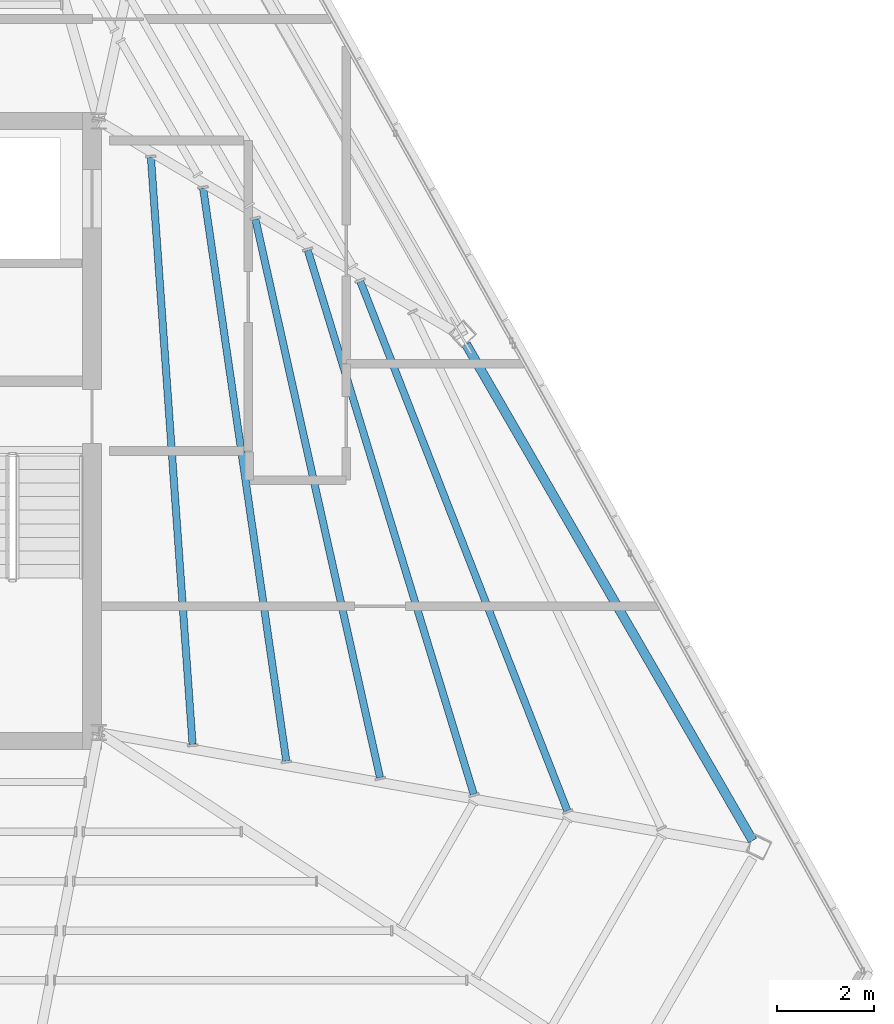
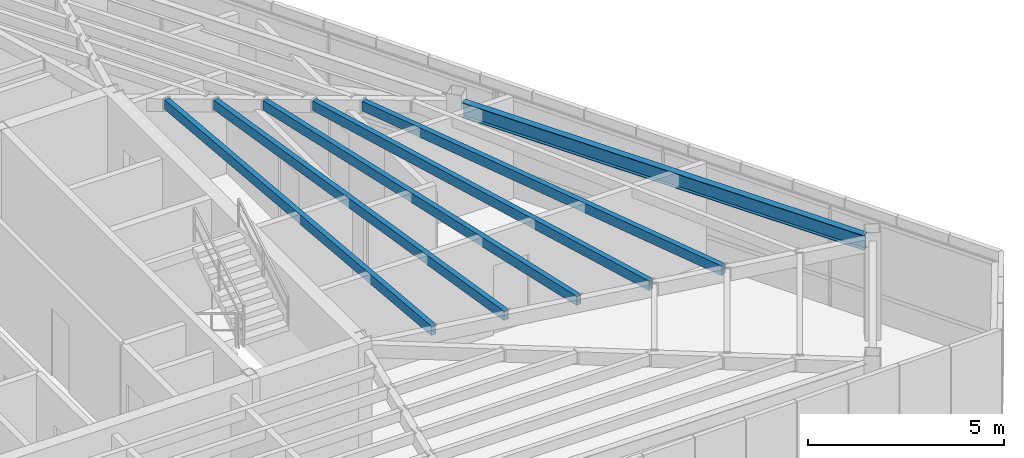
# One storey, part 24 of 48: 6 beams.
"""IFC4 building model written with IfcOpenShell, lengths in metres."""

from ifc_helpers import new_model, si_unit, direction, frame, origin, origin_2d, place, context, subcontext, project, spatial, hollow_rectangle, i_section, extrude, source, transform, mapped, material, material_profile, profile_set, type_object, type_shapes, element, save


model = new_model("IFC4")

# Units and contexts
model_context = context("Model", 3, precision=1e-05, world=origin(), true_north=direction((0.0, 1.0)))
body_context = subcontext(model_context, "Body", "Model", "MODEL_VIEW")
ifc_project = project(units=[si_unit("LENGTHUNIT", "METRE"), si_unit("AREAUNIT", "SQUARE_METRE"), si_unit("VOLUMEUNIT", "CUBIC_METRE"), si_unit("PLANEANGLEUNIT", "RADIAN"), si_unit("MASSUNIT", "GRAM", prefix="KILO")], contexts=[model_context])

# Site, building, storey
site_placement = place(None, origin())
site = spatial("IfcSite", under=ifc_project, at=site_placement, CompositionType="ELEMENT")
building_placement = place(site_placement, origin())
building = spatial("IfcBuilding", under=site, at=building_placement, Name="Caelisora Broadcast Tower", CompositionType="ELEMENT")
storey_placement = place(building_placement, frame((0.0, 0.0, 300.0)))
storey = spatial("IfcBuildingStorey", under=building, at=storey_placement, Name="L79", CompositionType="ELEMENT", Elevation=300.0)

# Beams
ifc_material_1 = material(Name="Steel Grade 350 (AS/NZS 3679.1)", Category="steel")
ifc_material_profile_1 = material_profile(ifc_material_1, i_section(OverallWidth=0.19091796875, OverallDepth=0.46044921875, WebThickness=0.010009765625, FlangeThickness=0.01611328125, at=origin_2d()), Name="Steel Grade 350 (AS/NZS 3679.1)")
ifc_profile_set_1 = profile_set([ifc_material_profile_1], Name="Steel Grade 350 (AS/NZS 3679.1)")
beam_type_1 = type_object("IfcBeamType", Name="PG06", PredefinedType="BEAM", material=ifc_profile_set_1)
shared_shape_1 = source(origin(), body_context, "Body", "SweptSolid", [
    extrude(i_section(OverallWidth=0.19091796875, OverallDepth=0.46044921875, WebThickness=0.010009765625, FlangeThickness=0.01611328125, at=origin_2d()), origin(), (0.0, 0.0, 1.0), 11.8095703125),
])
type_shapes(beam_type_1, [shared_shape_1])
beam_1_placement = place(storey_placement, frame((58.972900390625, 15.173828125, 2.919921875), z_axis=(-0.50000340912, 0.866023435519, 0.0), x_axis=(-0.866023435519, -0.50000340912, 0.0)))
element("IfcBeam", 1, at=beam_1_placement, inside=storey, type_object=beam_type_1, Name="L79 beam PG06", PredefinedType="BEAM", context=body_context, shape_type="MappedRepresentation", body=[
    mapped(shared_shape_1, transform((0.0, 0.0, 0.0), scale=1.0)),
])
ifc_material_2 = material(Name="Steel Grade 350 (AS/NZS 1163 C350L0)", Category="steel")
ifc_material_profile_2 = material_profile(ifc_material_2, hollow_rectangle(XDim=0.14990234375, YDim=0.300048828125, WallThickness=0.010009765625, at=origin_2d()), Name="Steel Grade 350 (AS/NZS 1163 C350L0)")
ifc_profile_set_2 = profile_set([ifc_material_profile_2], Name="Steel Grade 350 (AS/NZS 1163 C350L0)")
beam_type_2 = type_object("IfcBeamType", Name="SB05", PredefinedType="JOIST", material=ifc_profile_set_2)
shared_shape_2 = source(origin(), body_context, "Body", "SweptSolid", [
    extrude(hollow_rectangle(XDim=0.14990234375, YDim=0.300048828125, WallThickness=0.010009765625, at=origin_2d()), origin(), (0.0, 0.0, 1.0), 12.124755859375),
])
beam_2_placement = place(storey_placement, frame((47.4326171875, 17.156005859375, 3.0), z_axis=(-0.070756225231, 0.997493637369, 0.0), x_axis=(-0.997493637369, -0.070756225231, 0.0)))
element("IfcBeam", 2, at=beam_2_placement, inside=storey, type_object=beam_type_2, Name="L79 beam SB05", PredefinedType="JOIST", context=body_context, shape_type="MappedRepresentation", body=[
    mapped(shared_shape_2, transform((0.0, 0.0, 0.0), scale=1.0)),
])
shared_shape_3 = source(origin(), body_context, "Body", "SweptSolid", [
    extrude(hollow_rectangle(XDim=0.14990234375, YDim=0.300048828125, WallThickness=0.010009765625, at=origin_2d()), origin(), (0.0, 0.0, 1.0), 11.92333984375),
])
beam_3_placement = place(storey_placement, frame((49.364501953125, 16.813720703125, 3.0), z_axis=(-0.143740056327, 0.989615478965, 0.0), x_axis=(-0.989615478965, -0.143740056327, 0.0)))
element("IfcBeam", 3, at=beam_3_placement, inside=storey, type_object=beam_type_2, Name="L79 beam SB05", PredefinedType="JOIST", context=body_context, shape_type="MappedRepresentation", body=[
    mapped(shared_shape_3, transform((0.0, 0.0, 0.0), scale=1.0)),
])
shared_shape_4 = source(origin(), body_context, "Body", "SweptSolid", [
    extrude(hollow_rectangle(XDim=0.14990234375, YDim=0.300048828125, WallThickness=0.010009765625, at=origin_2d()), origin(), (0.0, 0.0, 1.0), 11.786865234375),
])
beam_4_placement = place(storey_placement, frame((51.295654296875, 16.471435546875, 3.0), z_axis=(-0.21781639133, 0.97598976412, 0.0), x_axis=(-0.97598976412, -0.21781639133, 0.0)))
element("IfcBeam", 4, at=beam_4_placement, inside=storey, type_object=beam_type_2, Name="L79 beam SB05", PredefinedType="JOIST", context=body_context, shape_type="MappedRepresentation", body=[
    mapped(shared_shape_4, transform((0.0, 0.0, 0.0), scale=1.0)),
])
shared_shape_5 = source(origin(), body_context, "Body", "SweptSolid", [
    extrude(hollow_rectangle(XDim=0.14990234375, YDim=0.300048828125, WallThickness=0.010009765625, at=origin_2d()), origin(), (0.0, 0.0, 1.0), 11.71630859375),
])
beam_5_placement = place(storey_placement, frame((53.226318359375, 16.12939453125, 3.0), z_axis=(-0.291787579864, 0.95648314582, 0.0), x_axis=(-0.95648314582, -0.291787579864, 0.0)))
element("IfcBeam", 5, at=beam_5_placement, inside=storey, type_object=beam_type_2, Name="L79 beam SB05", PredefinedType="JOIST", context=body_context, shape_type="MappedRepresentation", body=[
    mapped(shared_shape_5, transform((0.0, 0.0, 0.0), scale=1.0)),
])
shared_shape_6 = source(origin(), body_context, "Body", "SweptSolid", [
    extrude(hollow_rectangle(XDim=0.14990234375, YDim=0.300048828125, WallThickness=0.010009765625, at=origin_2d()), origin(), (0.0, 0.0, 1.0), 11.71240234375),
])
type_shapes(beam_type_2, [shared_shape_2, shared_shape_3, shared_shape_4, shared_shape_5, shared_shape_6])
beam_6_placement = place(storey_placement, frame((55.15625, 15.78759765625, 3.0), z_axis=(-0.364278310774, 0.931290133256, 0.0), x_axis=(-0.931290133256, -0.364278310774, 0.0)))
element("IfcBeam", 6, at=beam_6_placement, inside=storey, type_object=beam_type_2, Name="L79 beam SB05", PredefinedType="JOIST", context=body_context, shape_type="MappedRepresentation", body=[
    mapped(shared_shape_6, transform((0.0, 0.0, 0.0), scale=1.0)),
])

save(model, "model.ifc")
